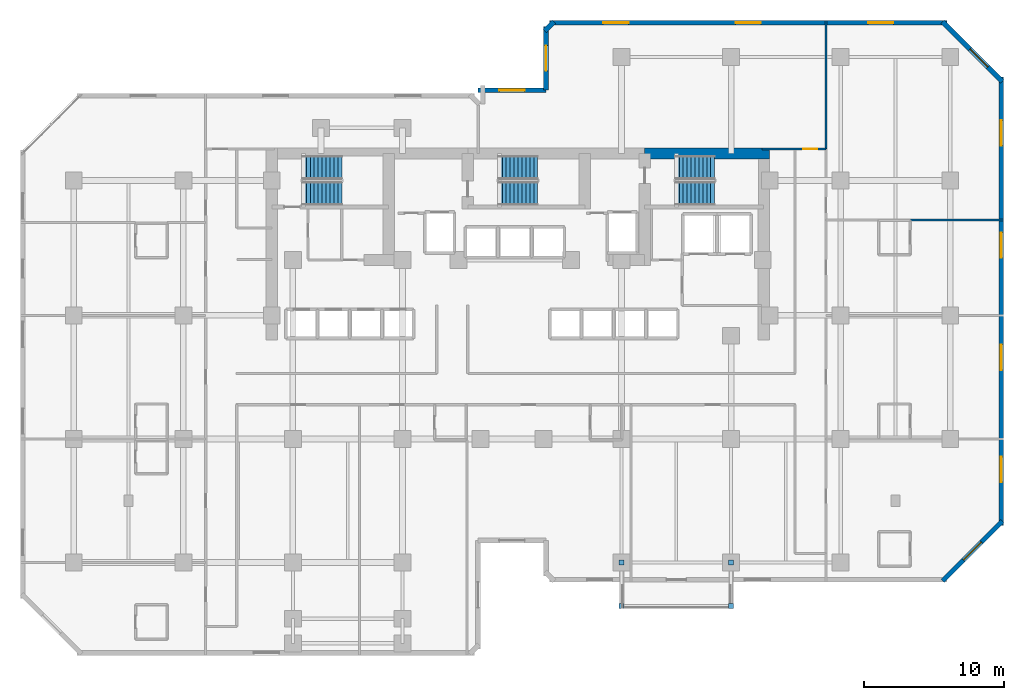
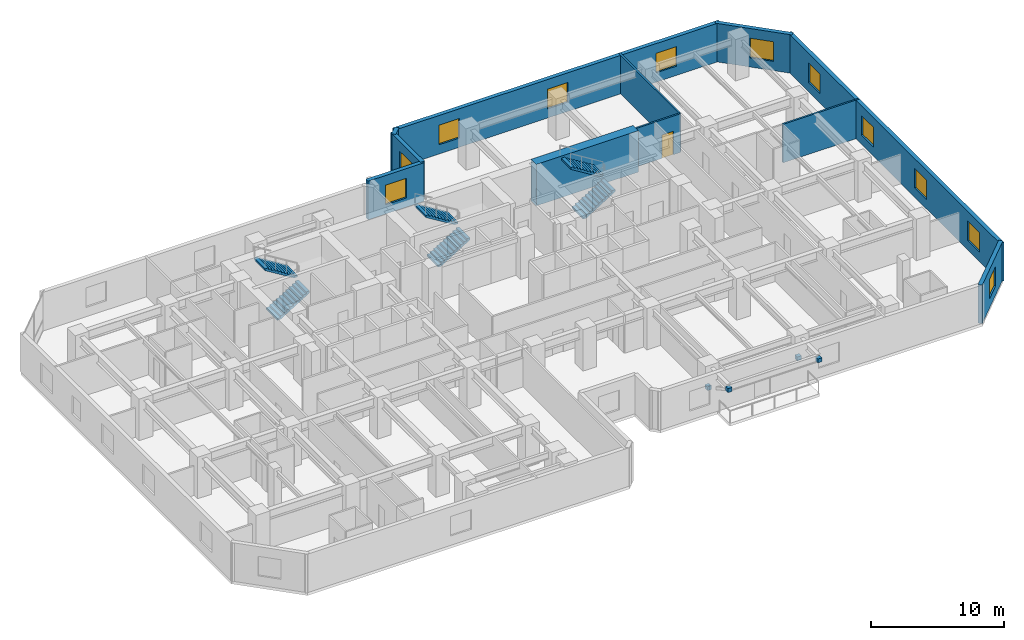
# One storey, part 9 of 11: 11 walls, 11 windows, 6 stair flights, 4 discrete accessories, 1 door, 12 openings, 3 elements without a shape of their own.
"""IFC4 building model written with IfcOpenShell, lengths in metres."""

from ifc_helpers import new_model, si_unit, direction, frame, frame_2d, origin, origin_2d, place, context, subcontext, project, spatial, polyline, rectangle, outline, extrude, material, layer, layer_set, type_object, element, fill, aggregate, save


model = new_model("IFC4")

# Units and contexts
model_context = context("Model", 3, precision=1e-05, world=origin(), true_north=direction((0.0, 1.0)))
body_context = subcontext(model_context, "Body", "Model", "MODEL_VIEW")
ifc_project = project(units=[si_unit("LENGTHUNIT", "METRE"), si_unit("AREAUNIT", "SQUARE_METRE"), si_unit("VOLUMEUNIT", "CUBIC_METRE"), si_unit("PLANEANGLEUNIT", "RADIAN"), si_unit("MASSUNIT", "GRAM", prefix="KILO")], contexts=[model_context])

# Site, building, storey
site_placement = place(None, origin())
site = spatial("IfcSite", under=ifc_project, at=site_placement, CompositionType="ELEMENT")
building_placement = place(site_placement, origin())
building = spatial("IfcBuilding", under=site, at=building_placement, Name="Kestravale Grand Hotel", CompositionType="ELEMENT")
storey_placement = place(building_placement, frame((0.0, 0.0, 114.60009765625)))
storey = spatial("IfcBuildingStorey", under=building, at=storey_placement, Name="L28", CompositionType="ELEMENT", Elevation=114.60009765625)

# Wall
ifc_material_1 = material(Name="Concrete f'c 60 MPa", Category="concrete")
ifc_layer_1 = layer(ifc_material_1, 0.800048828125)
ifc_layer_set_1 = layer_set([ifc_layer_1], Name="EW-CORE-800")
wall_type_1 = type_object("IfcWallType", Name="EW-CORE-800", PredefinedType="SHEAR", material=ifc_layer_set_1)
wall_1_placement = place(storey_placement, frame((48.449951171875, 40.320068359375, 0.0), z_axis=(0.0, 0.0, 1.0), x_axis=(1.0, 0.0, 0.0)))
element("IfcWall", 1, at=wall_1_placement, inside=storey, type_object=wall_type_1, Name="L28 core shear wall N3", PredefinedType="SHEAR", context=body_context, shape_type="SweptSolid", body=[
    extrude(rectangle(XDim=8.8701171875, YDim=0.800048828125, at=frame_2d((4.43505859375, 0.0))), origin(), (0.0, 0.0, 1.0), 3.7998046875),
])

# Wall, opening, window
ifc_material_2 = material(Name="Precast concrete f'c 45 MPa", Category="concrete")
ifc_layer_2 = layer(ifc_material_2, 0.340087890625)
ifc_layer_set_2 = layer_set([ifc_layer_2], Name="EW-PREC-340")
wall_type_2 = type_object("IfcWallType", Name="EW-PREC-340", PredefinedType="SOLIDWALL", material=ifc_layer_set_2)
wall_2_placement = place(storey_placement, frame((69.651611328125, 9.891845703125, 0.0), z_axis=(0.0, 0.0, 1.0), x_axis=(0.707106781187, 0.707106781187, 0.0)))
wall_2 = element("IfcWall", 2, at=wall_2_placement, inside=storey, type_object=wall_type_2, Name="L28 fluted precast facade wall 8", PredefinedType="SOLIDWALL", context=body_context, shape_type="SweptSolid", body=[
    extrude(rectangle(XDim=6.019775390625, YDim=0.340087890625, at=frame_2d((3.009765625, 0.0))), origin(), (0.0, 0.0, 1.0), 3.539794921875),
])
opening_1_placement = place(wall_2_placement, frame((2.10986328125, 0.0, 0.85009765625)))
opening_1 = element("IfcOpeningElement", 3, at=opening_1_placement, cuts=wall_2, Name="Opening W-GUEST-1800", PredefinedType="OPENING", context=body_context, shape_type="SweptSolid", body=[
    extrude(rectangle(XDim=1.800048828125, YDim=1.800048828125, at=frame_2d((0.89990234375, 0.89990234375))), frame((0.0, 0.179931640625, 0.0), z_axis=(0.0, -1.0, 0.0), x_axis=(1.0, 0.0, 0.0)), (0.0, 0.0, 1.0), 0.360107421875),
])
ifc_material_3 = material(Name="Insulated low-E double glazing in aluminium frame", Category="aluminium")
window_type = type_object("IfcWindowType", Name="W-GUEST-1800", PartitioningType="DOUBLE_PANEL_VERTICAL", PredefinedType="WINDOW", material=ifc_material_3)
window_1_placement = place(opening_1_placement, origin())
window_1 = element("IfcWindow", 4, at=window_1_placement, inside=storey, type_object=window_type, Name="L28 exterior window 8.1", OverallHeight=1.800048828125, OverallWidth=1.800048828125, PartitioningType="SINGLE_PANEL", PredefinedType="WINDOW", context=body_context, shape_type="SweptSolid", body=[
    extrude(rectangle(XDim=1.800048828125, YDim=1.800048828125, at=frame_2d((0.89990234375, 0.89990234375))), frame((0.0, 0.030029296875, 0.0), z_axis=(0.0, -1.0, 0.0), x_axis=(1.0, 0.0, 0.0)), (0.0, 0.0, 1.0), 0.06005859375),
])
fill(opening_1, window_1)

# Wall, openings, windows
wall_3_placement = place(storey_placement, frame((73.830078125, 13.830078125, 0.0), z_axis=(0.0, 0.0, 1.0), x_axis=(0.0, 1.0, 0.0)))
wall_3 = element("IfcWall", 5, at=wall_3_placement, inside=storey, type_object=wall_type_2, Name="L28 fluted precast facade wall 9", PredefinedType="SOLIDWALL", context=body_context, shape_type="SweptSolid", body=[
    extrude(rectangle(XDim=31.93994140625, YDim=0.340087890625, at=frame_2d((15.969970703125, 0.0))), origin(), (0.0, 0.0, 1.0), 3.539794921875),
])
opening_2_placement = place(wall_3_placement, frame((3.092529296875, 0.0, 0.85009765625)))
opening_2 = element("IfcOpeningElement", 6, at=opening_2_placement, cuts=wall_3, Name="Opening W-GUEST-1800", PredefinedType="OPENING", context=body_context, shape_type="SweptSolid", body=[
    extrude(rectangle(XDim=1.800048828125, YDim=1.800048828125, at=frame_2d((0.89990234375, 0.89990234375))), frame((0.0, 0.179931640625, 0.0), z_axis=(0.0, -1.0, 0.0), x_axis=(1.0, 0.0, 0.0)), (0.0, 0.0, 1.0), 0.360107421875),
])
opening_3_placement = place(wall_3_placement, frame((11.077392578125, 0.0, 0.85009765625)))
opening_3 = element("IfcOpeningElement", 7, at=opening_3_placement, cuts=wall_3, Name="Opening W-GUEST-1800", PredefinedType="OPENING", context=body_context, shape_type="SweptSolid", body=[
    extrude(rectangle(XDim=1.800048828125, YDim=1.800048828125, at=frame_2d((0.89990234375, 0.89990234375))), frame((0.0, 0.179931640625, 0.0), z_axis=(0.0, -1.0, 0.0), x_axis=(1.0, 0.0, 0.0)), (0.0, 0.0, 1.0), 0.360107421875),
])
opening_4_placement = place(wall_3_placement, frame((19.0625, 0.0, 0.85009765625)))
opening_4 = element("IfcOpeningElement", 8, at=opening_4_placement, cuts=wall_3, Name="Opening W-GUEST-1800", PredefinedType="OPENING", context=body_context, shape_type="SweptSolid", body=[
    extrude(rectangle(XDim=1.800048828125, YDim=1.800048828125, at=frame_2d((0.89990234375, 0.89990234375))), frame((0.0, 0.179931640625, 0.0), z_axis=(0.0, -1.0, 0.0), x_axis=(1.0, 0.0, 0.0)), (0.0, 0.0, 1.0), 0.360107421875),
])
opening_5_placement = place(wall_3_placement, frame((27.047607421875, 0.0, 0.85009765625)))
opening_5 = element("IfcOpeningElement", 9, at=opening_5_placement, cuts=wall_3, Name="Opening W-GUEST-1800", PredefinedType="OPENING", context=body_context, shape_type="SweptSolid", body=[
    extrude(rectangle(XDim=1.800048828125, YDim=1.800048828125, at=frame_2d((0.89990234375, 0.89990234375))), frame((0.0, 0.179931640625, 0.0), z_axis=(0.0, -1.0, 0.0), x_axis=(1.0, 0.0, 0.0)), (0.0, 0.0, 1.0), 0.360107421875),
])
window_2_placement = place(opening_2_placement, origin())
window_2 = element("IfcWindow", 10, at=window_2_placement, inside=storey, type_object=window_type, Name="L28 exterior window 9.1", OverallHeight=1.800048828125, OverallWidth=1.800048828125, PartitioningType="SINGLE_PANEL", PredefinedType="WINDOW", context=body_context, shape_type="SweptSolid", body=[
    extrude(rectangle(XDim=1.800048828125, YDim=1.800048828125, at=frame_2d((0.89990234375, 0.89990234375))), frame((0.0, 0.030029296875, 0.0), z_axis=(0.0, -1.0, 0.0), x_axis=(1.0, 0.0, 0.0)), (0.0, 0.0, 1.0), 0.06005859375),
])
fill(opening_2, window_2)
window_3_placement = place(opening_3_placement, origin())
window_3 = element("IfcWindow", 11, at=window_3_placement, inside=storey, type_object=window_type, Name="L28 exterior window 9.2", OverallHeight=1.800048828125, OverallWidth=1.800048828125, PartitioningType="SINGLE_PANEL", PredefinedType="WINDOW", context=body_context, shape_type="SweptSolid", body=[
    extrude(rectangle(XDim=1.800048828125, YDim=1.800048828125, at=frame_2d((0.89990234375, 0.89990234375))), frame((0.0, 0.030029296875, 0.0), z_axis=(0.0, -1.0, 0.0), x_axis=(1.0, 0.0, 0.0)), (0.0, 0.0, 1.0), 0.06005859375),
])
fill(opening_3, window_3)
window_4_placement = place(opening_4_placement, origin())
window_4 = element("IfcWindow", 12, at=window_4_placement, inside=storey, type_object=window_type, Name="L28 exterior window 9.3", OverallHeight=1.800048828125, OverallWidth=1.800048828125, PartitioningType="SINGLE_PANEL", PredefinedType="WINDOW", context=body_context, shape_type="SweptSolid", body=[
    extrude(rectangle(XDim=1.800048828125, YDim=1.800048828125, at=frame_2d((0.89990234375, 0.89990234375))), frame((0.0, 0.030029296875, 0.0), z_axis=(0.0, -1.0, 0.0), x_axis=(1.0, 0.0, 0.0)), (0.0, 0.0, 1.0), 0.06005859375),
])
fill(opening_4, window_4)
window_5_placement = place(opening_5_placement, origin())
window_5 = element("IfcWindow", 13, at=window_5_placement, inside=storey, type_object=window_type, Name="L28 exterior window 9.4", OverallHeight=1.800048828125, OverallWidth=1.800048828125, PartitioningType="SINGLE_PANEL", PredefinedType="WINDOW", context=body_context, shape_type="SweptSolid", body=[
    extrude(rectangle(XDim=1.800048828125, YDim=1.800048828125, at=frame_2d((0.89990234375, 0.89990234375))), frame((0.0, 0.030029296875, 0.0), z_axis=(0.0, -1.0, 0.0), x_axis=(1.0, 0.0, 0.0)), (0.0, 0.0, 1.0), 0.06005859375),
])
fill(opening_5, window_5)

# Wall, opening, window
wall_4_placement = place(storey_placement, frame((73.908203125, 45.451416015625, 0.0), z_axis=(0.0, 0.0, 1.0), x_axis=(-0.707106781187, 0.707106781187, 0.0)))
wall_4 = element("IfcWall", 14, at=wall_4_placement, inside=storey, type_object=wall_type_2, Name="L28 fluted precast facade wall 10", PredefinedType="SOLIDWALL", context=body_context, shape_type="SweptSolid", body=[
    extrude(rectangle(XDim=6.019775390625, YDim=0.340087890625, at=frame_2d((3.009765625, 0.0))), origin(), (0.0, 0.0, 1.0), 3.539794921875),
])
opening_6_placement = place(wall_4_placement, frame((1.4599609375, 0.0, 0.85009765625)))
opening_6 = element("IfcOpeningElement", 15, at=opening_6_placement, cuts=wall_4, Name="Opening W-GUEST-1800", PredefinedType="OPENING", context=body_context, shape_type="SweptSolid", body=[
    extrude(rectangle(XDim=1.800048828125, YDim=1.800048828125, at=frame_2d((0.89990234375, 0.89990234375))), frame((0.0, 0.179931640625, 0.0), z_axis=(0.0, -1.0, 0.0), x_axis=(1.0, 0.0, 0.0)), (0.0, 0.0, 1.0), 0.360107421875),
])
window_6_placement = place(opening_6_placement, origin())
window_6 = element("IfcWindow", 16, at=window_6_placement, inside=storey, type_object=window_type, Name="L28 exterior window 10.1", OverallHeight=1.800048828125, OverallWidth=1.800048828125, PartitioningType="SINGLE_PANEL", PredefinedType="WINDOW", context=body_context, shape_type="SweptSolid", body=[
    extrude(rectangle(XDim=1.800048828125, YDim=1.800048828125, at=frame_2d((0.89990234375, 0.89990234375))), frame((0.0, 0.030029296875, 0.0), z_axis=(0.0, -1.0, 0.0), x_axis=(1.0, 0.0, 0.0)), (0.0, 0.0, 1.0), 0.06005859375),
])
fill(opening_6, window_6)

# Wall, openings, windows
wall_5_placement = place(storey_placement, frame((69.969970703125, 49.6298828125, 0.0), z_axis=(0.0, 0.0, 1.0), x_axis=(-1.0, 0.0, 0.0)))
wall_5 = element("IfcWall", 17, at=wall_5_placement, inside=storey, type_object=wall_type_2, Name="L28 fluted precast facade wall 11", PredefinedType="SOLIDWALL", context=body_context, shape_type="SweptSolid", body=[
    extrude(rectangle(XDim=28.2900390625, YDim=0.340087890625, at=frame_2d((14.14501953125, 0.0))), origin(), (0.0, 0.0, 1.0), 3.539794921875),
])
opening_7_placement = place(wall_5_placement, frame((3.81494140625, 0.0, 0.85009765625)))
opening_7 = element("IfcOpeningElement", 18, at=opening_7_placement, cuts=wall_5, Name="Opening W-GUEST-1800", PredefinedType="OPENING", context=body_context, shape_type="SweptSolid", body=[
    extrude(rectangle(XDim=1.800048828125, YDim=1.800048828125, at=frame_2d((0.89990234375, 0.89990234375))), frame((0.0, 0.179931640625, 0.0), z_axis=(0.0, -1.0, 0.0), x_axis=(1.0, 0.0, 0.0)), (0.0, 0.0, 1.0), 0.360107421875),
])
opening_8_placement = place(wall_5_placement, frame((13.2451171875, 0.0, 0.85009765625)))
opening_8 = element("IfcOpeningElement", 19, at=opening_8_placement, cuts=wall_5, Name="Opening W-GUEST-1800", PredefinedType="OPENING", context=body_context, shape_type="SweptSolid", body=[
    extrude(rectangle(XDim=1.800048828125, YDim=1.800048828125, at=frame_2d((0.89990234375, 0.89990234375))), frame((0.0, 0.179931640625, 0.0), z_axis=(0.0, -1.0, 0.0), x_axis=(1.0, 0.0, 0.0)), (0.0, 0.0, 1.0), 0.360107421875),
])
opening_9_placement = place(wall_5_placement, frame((22.675048828125, 0.0, 0.85009765625)))
opening_9 = element("IfcOpeningElement", 20, at=opening_9_placement, cuts=wall_5, Name="Opening W-GUEST-1800", PredefinedType="OPENING", context=body_context, shape_type="SweptSolid", body=[
    extrude(rectangle(XDim=1.800048828125, YDim=1.800048828125, at=frame_2d((0.89990234375, 0.89990234375))), frame((0.0, 0.179931640625, 0.0), z_axis=(0.0, -1.0, 0.0), x_axis=(1.0, 0.0, 0.0)), (0.0, 0.0, 1.0), 0.360107421875),
])
window_7_placement = place(opening_7_placement, origin())
window_7 = element("IfcWindow", 21, at=window_7_placement, inside=storey, type_object=window_type, Name="L28 exterior window 11.1", OverallHeight=1.800048828125, OverallWidth=1.800048828125, PartitioningType="SINGLE_PANEL", PredefinedType="WINDOW", context=body_context, shape_type="SweptSolid", body=[
    extrude(rectangle(XDim=1.800048828125, YDim=1.800048828125, at=frame_2d((0.89990234375, 0.89990234375))), frame((0.0, 0.030029296875, 0.0), z_axis=(0.0, -1.0, 0.0), x_axis=(1.0, 0.0, 0.0)), (0.0, 0.0, 1.0), 0.06005859375),
])
fill(opening_7, window_7)
window_8_placement = place(opening_8_placement, origin())
window_8 = element("IfcWindow", 22, at=window_8_placement, inside=storey, type_object=window_type, Name="L28 exterior window 11.2", OverallHeight=1.800048828125, OverallWidth=1.800048828125, PartitioningType="SINGLE_PANEL", PredefinedType="WINDOW", context=body_context, shape_type="SweptSolid", body=[
    extrude(rectangle(XDim=1.800048828125, YDim=1.800048828125, at=frame_2d((0.89990234375, 0.89990234375))), frame((0.0, 0.030029296875, 0.0), z_axis=(0.0, -1.0, 0.0), x_axis=(1.0, 0.0, 0.0)), (0.0, 0.0, 1.0), 0.06005859375),
])
fill(opening_8, window_8)
window_9_placement = place(opening_9_placement, origin())
window_9 = element("IfcWindow", 23, at=window_9_placement, inside=storey, type_object=window_type, Name="L28 exterior window 11.3", OverallHeight=1.800048828125, OverallWidth=1.800048828125, PartitioningType="SINGLE_PANEL", PredefinedType="WINDOW", context=body_context, shape_type="SweptSolid", body=[
    extrude(rectangle(XDim=1.800048828125, YDim=1.800048828125, at=frame_2d((0.89990234375, 0.89990234375))), frame((0.0, 0.030029296875, 0.0), z_axis=(0.0, -1.0, 0.0), x_axis=(1.0, 0.0, 0.0)), (0.0, 0.0, 1.0), 0.06005859375),
])
fill(opening_9, window_9)

# Wall
wall_6_placement = place(storey_placement, frame((41.99853515625, 49.7080078125, 0.0), z_axis=(0.0, 0.0, 1.0), x_axis=(-0.707238225886, -0.706975312048, 0.0)))
element("IfcWall", 24, at=wall_6_placement, inside=storey, type_object=wall_type_2, Name="L28 fluted precast facade wall 12", PredefinedType="SOLIDWALL", context=body_context, shape_type="SweptSolid", body=[
    extrude(rectangle(XDim=0.9287109375, YDim=0.340087890625, at=frame_2d((0.46435546875, 0.0))), origin(), (0.0, 0.0, 1.0), 3.539794921875),
])

# Wall, opening, window
wall_7_placement = place(storey_placement, frame((41.419921875, 49.3701171875, 0.0), z_axis=(0.0, 0.0, 1.0), x_axis=(0.0, -1.0, 0.0)))
wall_7 = element("IfcWall", 25, at=wall_7_placement, inside=storey, type_object=wall_type_2, Name="L28 fluted precast facade wall 13", PredefinedType="SOLIDWALL", context=body_context, shape_type="SweptSolid", body=[
    extrude(rectangle(XDim=4.5400390625, YDim=0.340087890625, at=frame_2d((2.27001953125, 0.0))), origin(), (0.0, 0.0, 1.0), 3.539794921875),
])
opening_10_placement = place(wall_7_placement, frame((1.3701171875, 0.0, 0.85009765625)))
opening_10 = element("IfcOpeningElement", 26, at=opening_10_placement, cuts=wall_7, Name="Opening W-GUEST-1800", PredefinedType="OPENING", context=body_context, shape_type="SweptSolid", body=[
    extrude(rectangle(XDim=1.800048828125, YDim=1.800048828125, at=frame_2d((0.89990234375, 0.89990234375))), frame((0.0, 0.179931640625, 0.0), z_axis=(0.0, -1.0, 0.0), x_axis=(1.0, 0.0, 0.0)), (0.0, 0.0, 1.0), 0.360107421875),
])
window_10_placement = place(opening_10_placement, origin())
window_10 = element("IfcWindow", 27, at=window_10_placement, inside=storey, type_object=window_type, Name="L28 exterior window 13.1", OverallHeight=1.800048828125, OverallWidth=1.800048828125, PartitioningType="SINGLE_PANEL", PredefinedType="WINDOW", context=body_context, shape_type="SweptSolid", body=[
    extrude(rectangle(XDim=1.800048828125, YDim=1.800048828125, at=frame_2d((0.89990234375, 0.89990234375))), frame((0.0, 0.030029296875, 0.0), z_axis=(0.0, -1.0, 0.0), x_axis=(1.0, 0.0, 0.0)), (0.0, 0.0, 1.0), 0.06005859375),
])
fill(opening_10, window_10)

wall_8_placement = place(storey_placement, frame((41.419921875, 44.830078125, 0.0), z_axis=(0.0, 0.0, 1.0), x_axis=(-1.0, 0.0, 0.0)))
wall_8 = element("IfcWall", 28, at=wall_8_placement, inside=storey, type_object=wall_type_2, Name="L28 fluted precast facade wall 14", PredefinedType="SOLIDWALL", context=body_context, shape_type="SweptSolid", body=[
    extrude(rectangle(XDim=4.83984375, YDim=0.340087890625, at=frame_2d((2.419921875, 0.0))), origin(), (0.0, 0.0, 1.0), 3.539794921875),
])
opening_11_placement = place(wall_8_placement, frame((1.52001953125, 0.0, 0.85009765625)))
opening_11 = element("IfcOpeningElement", 29, at=opening_11_placement, cuts=wall_8, Name="Opening W-GUEST-1800", PredefinedType="OPENING", context=body_context, shape_type="SweptSolid", body=[
    extrude(rectangle(XDim=1.800048828125, YDim=1.800048828125, at=frame_2d((0.89990234375, 0.89990234375))), frame((0.0, 0.179931640625, 0.0), z_axis=(0.0, -1.0, 0.0), x_axis=(1.0, 0.0, 0.0)), (0.0, 0.0, 1.0), 0.360107421875),
])
window_11_placement = place(opening_11_placement, origin())
window_11 = element("IfcWindow", 30, at=window_11_placement, inside=storey, type_object=window_type, Name="L28 exterior window 14.1", OverallHeight=1.800048828125, OverallWidth=1.800048828125, PartitioningType="SINGLE_PANEL", PredefinedType="WINDOW", context=body_context, shape_type="SweptSolid", body=[
    extrude(rectangle(XDim=1.800048828125, YDim=1.800048828125, at=frame_2d((0.89990234375, 0.89990234375))), frame((0.0, 0.030029296875, 0.0), z_axis=(0.0, -1.0, 0.0), x_axis=(1.0, 0.0, 0.0)), (0.0, 0.0, 1.0), 0.06005859375),
])
fill(opening_11, window_11)

# Wall, opening, door
ifc_material_4 = material(Name="Double-stud STC 52 acoustic demising partition", Category="other")
ifc_layer_3 = layer(ifc_material_4, 0.14990234375)
ifc_layer_set_3 = layer_set([ifc_layer_3], Name="IW-UNIT-150")
wall_type_3 = type_object("IfcWallType", Name="IW-UNIT-150", PredefinedType="PARTITIONING", material=ifc_layer_set_3)
wall_9_placement = place(storey_placement, frame((56.800048828125, 40.64990234375, 0.0), z_axis=(0.0, 0.0, 1.0), x_axis=(1.0, 0.0, 0.0)))
wall_9 = element("IfcWall", 31, at=wall_9_placement, inside=storey, type_object=wall_type_3, Name="W-L28-SE-N", PredefinedType="PARTITIONING", context=body_context, shape_type="SweptSolid", body=[
    extrude(rectangle(XDim=4.56005859375, YDim=0.14990234375, at=frame_2d((2.280029296875, 0.0))), origin(), (0.0, 0.0, 1.0), 3.539794921875),
])
opening_12_placement = place(wall_9_placement, frame((2.949951171875, 0.0, 0.0)))
opening_12 = element("IfcOpeningElement", 32, at=opening_12_placement, cuts=wall_9, Name="Opening D-GUEST-1000", PredefinedType="OPENING", context=body_context, shape_type="SweptSolid", body=[
    extrude(rectangle(XDim=1.0, YDim=2.14990234375, at=frame_2d((0.5, 1.074951171875))), frame((0.0, 0.0849609375, 0.0), z_axis=(0.0, -1.0, 0.0), x_axis=(1.0, 0.0, 0.0)), (0.0, 0.0, 1.0), 0.169921875),
])
ifc_material_5 = material(Name="Accessible walnut veneer hotel entrance fire door", Category="wood")
door_type = type_object("IfcDoorType", Name="D-GUEST-1000", OperationType="NOTDEFINED", PredefinedType="DOOR", material=ifc_material_5)
door_placement = place(opening_12_placement, origin())
door = element("IfcDoor", 33, at=door_placement, inside=storey, type_object=door_type, Name="L28 NE Gallery Door", OperationType="SINGLE_SWING_LEFT", OverallHeight=2.14990234375, OverallWidth=1.0, PredefinedType="DOOR", context=body_context, shape_type="SweptSolid", body=[
    extrude(rectangle(XDim=1.0, YDim=2.14990234375, at=frame_2d((0.5, 1.074951171875))), frame((0.0, 0.02490234375, 0.0), z_axis=(0.0, -1.0, 0.0), x_axis=(1.0, 0.0, 0.0)), (0.0, 0.0, 1.0), 0.050048828125),
])
fill(opening_12, door)

# Walls
wall_10_placement = place(storey_placement, frame((61.360107421875, 40.64990234375, 0.0), z_axis=(0.0, 0.0, 1.0), x_axis=(0.0, 1.0, 0.0)))
element("IfcWall", 34, at=wall_10_placement, inside=storey, type_object=wall_type_3, Name="W-L28-NGE-E", PredefinedType="PARTITIONING", context=body_context, shape_type="SweptSolid", body=[
    extrude(rectangle(XDim=9.130126953125, YDim=0.14990234375, at=frame_2d((4.56494140625, 0.0))), origin(), (0.0, 0.0, 1.0), 3.539794921875),
])
wall_11_placement = place(storey_placement, frame((67.35009765625, 35.60009765625, 0.0), z_axis=(0.0, 0.0, 1.0), x_axis=(1.0, 0.0, 0.0)))
element("IfcWall", 35, at=wall_11_placement, inside=storey, type_object=wall_type_3, Name="W-L28-EW-3", PredefinedType="PARTITIONING", context=body_context, shape_type="SweptSolid", body=[
    extrude(rectangle(XDim=6.6298828125, YDim=0.14990234375, at=frame_2d((3.31494140625, 0.0))), origin(), (0.0, 0.0, 1.0), 3.539794921875),
])

# Stair, stair flights
ifc_material_6 = material(Name="Concrete f'c 45 MPa", Category="concrete")
stair_type = type_object("IfcStairType", Name="ST-CORE-380", PredefinedType="HALF_TURN_STAIR", material=ifc_material_6)
stair_1_placement = place(storey_placement, origin())
stair_1 = element("IfcStair", 36, at=stair_1_placement, inside=storey, type_object=stair_type, Name="L28 ST-1", PredefinedType="HALF_TURN_STAIR")
ifc_material_7 = material(Name="Concrete f'c 45 MPa", Category="concrete")
stair_flight_type = type_object("IfcStairFlightType", Name="STF-CORE-380", PredefinedType="STRAIGHT", material=ifc_material_7)
stair_flight_1_placement = place(storey_placement, frame((24.080078125, 37.489990234375, 0.0), z_axis=(0.0, 0.0, 1.0), x_axis=(1.0, 0.0, 0.0)))
stair_flight_1 = element("IfcStairFlight", 37, at=stair_flight_1_placement, type_object=stair_flight_type, Name="ST-1 flight 1", NumberOfRisers=11, NumberOfTreads=10, PredefinedType="STRAIGHT", RiserHeight=0.172727273, TreadLength=0.28, context=body_context, shape_type="SweptSolid", body=[
    extrude(outline(polyline([(0.0, 0.0), (0.0, 0.172607421875), (0.280029296875, 0.172607421875), (0.280029296875, 0.345458984375), (0.56005859375, 0.345458984375), (0.56005859375, 0.51806640625), (0.840087890625, 0.51806640625), (0.840087890625, 0.69091796875), (1.1201171875, 0.69091796875), (1.1201171875, 0.863525390625), (1.39990234375, 0.863525390625), (1.39990234375, 1.036376953125), (1.679931640625, 1.036376953125), (1.679931640625, 1.208984375), (1.9599609375, 1.208984375), (1.9599609375, 1.3818359375), (2.239990234375, 1.3818359375), (2.239990234375, 1.554443359375), (2.52001953125, 1.554443359375), (2.52001953125, 1.727294921875), (2.800048828125, 1.727294921875), (2.800048828125, 1.89990234375), (2.800048828125, 1.551025390625), (0.285400390625, 0.0), (0.0, 0.0)])), frame((0.0, 0.83984375, 0.0), z_axis=(0.0, -1.0, 0.0), x_axis=(1.0, 0.0, 0.0)), (0.0, 0.0, 1.0), 1.679931640625),
])
stair_flight_2_placement = place(storey_placement, frame((26.8798828125, 39.320068359375, 1.89990234375), z_axis=(0.0, 0.0, 1.0), x_axis=(-1.0, 0.0, 0.0)))
stair_flight_2 = element("IfcStairFlight", 38, at=stair_flight_2_placement, type_object=stair_flight_type, Name="ST-1 flight 2", NumberOfRisers=11, NumberOfTreads=10, PredefinedType="STRAIGHT", RiserHeight=0.172727273, TreadLength=0.28, context=body_context, shape_type="SweptSolid", body=[
    extrude(outline(polyline([(0.0, 0.0), (0.0, 0.172607421875), (0.280029296875, 0.172607421875), (0.280029296875, 0.345458984375), (0.56005859375, 0.345458984375), (0.56005859375, 0.51806640625), (0.840087890625, 0.51806640625), (0.840087890625, 0.69091796875), (1.1201171875, 0.69091796875), (1.1201171875, 0.863525390625), (1.39990234375, 0.863525390625), (1.39990234375, 1.036376953125), (1.679931640625, 1.036376953125), (1.679931640625, 1.208984375), (1.9599609375, 1.208984375), (1.9599609375, 1.3818359375), (2.239990234375, 1.3818359375), (2.239990234375, 1.554443359375), (2.52001953125, 1.554443359375), (2.52001953125, 1.727294921875), (2.800048828125, 1.727294921875), (2.800048828125, 1.89990234375), (2.800048828125, 1.551025390625), (0.285400390625, 0.0), (0.0, 0.0)])), frame((0.0, 0.83984375, 0.0), z_axis=(0.0, -1.0, 0.0), x_axis=(1.0, 0.0, 0.0)), (0.0, 0.0, 1.0), 1.679931640625),
])
aggregate(stair_1, [stair_flight_1, stair_flight_2])

stair_2_placement = place(storey_placement, origin())
stair_2 = element("IfcStair", 39, at=stair_2_placement, inside=storey, type_object=stair_type, Name="L28 ST-2", PredefinedType="HALF_TURN_STAIR")
stair_flight_3_placement = place(storey_placement, frame((38.030029296875, 37.489990234375, 0.0), z_axis=(0.0, 0.0, 1.0), x_axis=(1.0, 0.0, 0.0)))
stair_flight_3 = element("IfcStairFlight", 40, at=stair_flight_3_placement, type_object=stair_flight_type, Name="ST-2 flight 1", NumberOfRisers=11, NumberOfTreads=10, PredefinedType="STRAIGHT", RiserHeight=0.172727273, TreadLength=0.28, context=body_context, shape_type="SweptSolid", body=[
    extrude(outline(polyline([(0.0, 0.0), (0.0, 0.172607421875), (0.280029296875, 0.172607421875), (0.280029296875, 0.345458984375), (0.56005859375, 0.345458984375), (0.56005859375, 0.51806640625), (0.840087890625, 0.51806640625), (0.840087890625, 0.69091796875), (1.1201171875, 0.69091796875), (1.1201171875, 0.863525390625), (1.39990234375, 0.863525390625), (1.39990234375, 1.036376953125), (1.679931640625, 1.036376953125), (1.679931640625, 1.208984375), (1.9599609375, 1.208984375), (1.9599609375, 1.3818359375), (2.239990234375, 1.3818359375), (2.239990234375, 1.554443359375), (2.52001953125, 1.554443359375), (2.52001953125, 1.727294921875), (2.800048828125, 1.727294921875), (2.800048828125, 1.89990234375), (2.800048828125, 1.551025390625), (0.285400390625, 0.0), (0.0, 0.0)])), frame((0.0, 0.83984375, 0.0), z_axis=(0.0, -1.0, 0.0), x_axis=(1.0, 0.0, 0.0)), (0.0, 0.0, 1.0), 1.679931640625),
])
stair_flight_4_placement = place(storey_placement, frame((40.830078125, 39.320068359375, 1.89990234375), z_axis=(0.0, 0.0, 1.0), x_axis=(-1.0, 0.0, 0.0)))
stair_flight_4 = element("IfcStairFlight", 41, at=stair_flight_4_placement, type_object=stair_flight_type, Name="ST-2 flight 2", NumberOfRisers=11, NumberOfTreads=10, PredefinedType="STRAIGHT", RiserHeight=0.172727273, TreadLength=0.28, context=body_context, shape_type="SweptSolid", body=[
    extrude(outline(polyline([(0.0, 0.0), (0.0, 0.172607421875), (0.280029296875, 0.172607421875), (0.280029296875, 0.345458984375), (0.56005859375, 0.345458984375), (0.56005859375, 0.51806640625), (0.840087890625, 0.51806640625), (0.840087890625, 0.69091796875), (1.1201171875, 0.69091796875), (1.1201171875, 0.863525390625), (1.39990234375, 0.863525390625), (1.39990234375, 1.036376953125), (1.679931640625, 1.036376953125), (1.679931640625, 1.208984375), (1.9599609375, 1.208984375), (1.9599609375, 1.3818359375), (2.239990234375, 1.3818359375), (2.239990234375, 1.554443359375), (2.52001953125, 1.554443359375), (2.52001953125, 1.727294921875), (2.800048828125, 1.727294921875), (2.800048828125, 1.89990234375), (2.800048828125, 1.551025390625), (0.285400390625, 0.0), (0.0, 0.0)])), frame((0.0, 0.83984375, 0.0), z_axis=(0.0, -1.0, 0.0), x_axis=(1.0, 0.0, 0.0)), (0.0, 0.0, 1.0), 1.679931640625),
])
aggregate(stair_2, [stair_flight_3, stair_flight_4])

stair_3_placement = place(storey_placement, origin())
stair_3 = element("IfcStair", 42, at=stair_3_placement, inside=storey, type_object=stair_type, Name="L28 ST-3", PredefinedType="HALF_TURN_STAIR")
stair_flight_5_placement = place(storey_placement, frame((50.6298828125, 37.489990234375, 0.0), z_axis=(0.0, 0.0, 1.0), x_axis=(1.0, 0.0, 0.0)))
stair_flight_5 = element("IfcStairFlight", 43, at=stair_flight_5_placement, type_object=stair_flight_type, Name="ST-3 flight 1", NumberOfRisers=11, NumberOfTreads=10, PredefinedType="STRAIGHT", RiserHeight=0.172727273, TreadLength=0.28, context=body_context, shape_type="SweptSolid", body=[
    extrude(outline(polyline([(0.0, 0.0), (0.0, 0.172607421875), (0.280029296875, 0.172607421875), (0.280029296875, 0.345458984375), (0.56005859375, 0.345458984375), (0.56005859375, 0.51806640625), (0.840087890625, 0.51806640625), (0.840087890625, 0.69091796875), (1.1201171875, 0.69091796875), (1.1201171875, 0.863525390625), (1.39990234375, 0.863525390625), (1.39990234375, 1.036376953125), (1.679931640625, 1.036376953125), (1.679931640625, 1.208984375), (1.9599609375, 1.208984375), (1.9599609375, 1.3818359375), (2.239990234375, 1.3818359375), (2.239990234375, 1.554443359375), (2.52001953125, 1.554443359375), (2.52001953125, 1.727294921875), (2.800048828125, 1.727294921875), (2.800048828125, 1.89990234375), (2.800048828125, 1.551025390625), (0.285400390625, 0.0), (0.0, 0.0)])), frame((0.0, 0.83984375, 0.0), z_axis=(0.0, -1.0, 0.0), x_axis=(1.0, 0.0, 0.0)), (0.0, 0.0, 1.0), 1.679931640625),
])
stair_flight_6_placement = place(storey_placement, frame((53.429931640625, 39.320068359375, 1.89990234375), z_axis=(0.0, 0.0, 1.0), x_axis=(-1.0, 0.0, 0.0)))
stair_flight_6 = element("IfcStairFlight", 44, at=stair_flight_6_placement, type_object=stair_flight_type, Name="ST-3 flight 2", NumberOfRisers=11, NumberOfTreads=10, PredefinedType="STRAIGHT", RiserHeight=0.172727273, TreadLength=0.28, context=body_context, shape_type="SweptSolid", body=[
    extrude(outline(polyline([(0.0, 0.0), (0.0, 0.172607421875), (0.280029296875, 0.172607421875), (0.280029296875, 0.345458984375), (0.56005859375, 0.345458984375), (0.56005859375, 0.51806640625), (0.840087890625, 0.51806640625), (0.840087890625, 0.69091796875), (1.1201171875, 0.69091796875), (1.1201171875, 0.863525390625), (1.39990234375, 0.863525390625), (1.39990234375, 1.036376953125), (1.679931640625, 1.036376953125), (1.679931640625, 1.208984375), (1.9599609375, 1.208984375), (1.9599609375, 1.3818359375), (2.239990234375, 1.3818359375), (2.239990234375, 1.554443359375), (2.52001953125, 1.554443359375), (2.52001953125, 1.727294921875), (2.800048828125, 1.727294921875), (2.800048828125, 1.89990234375), (2.800048828125, 1.551025390625), (0.285400390625, 0.0), (0.0, 0.0)])), frame((0.0, 0.83984375, 0.0), z_axis=(0.0, -1.0, 0.0), x_axis=(1.0, 0.0, 0.0)), (0.0, 0.0, 1.0), 1.679931640625),
])
aggregate(stair_3, [stair_flight_5, stair_flight_6])

# Discrete accessories
ifc_material_8 = material(Name="Steel ASTM A572 Grade 50 hot-dip galvanised bracket", Category="steel")
discrete_accessory_type = type_object("IfcDiscreteAccessoryType", Name="ACC-BRK-STL", PredefinedType="BRACKET", material=ifc_material_8)
for number, where, z_axis, x_axis, name in (
    (45, (46.800048828125, 11.199951171875, 1.19384765625), (0.0, 0.0, 1.0), (1.0, 0.0, 0.0), "L29 terrace strut column bracket 1"),
    (46, (46.800048828125, 8.10009765625, 2.89404296875), (0.0, 0.0, 1.0), (1.0, 0.0, 0.0), "L29 terrace strut beam bracket 1"),
    (47, (54.60009765625, 11.199951171875, 1.19384765625), (0.0, 0.0, 1.0), (1.0, 0.0, 0.0), "L29 terrace strut column bracket 2"),
    (48, (54.60009765625, 8.10009765625, 2.89404296875), (0.0, 0.0, 1.0), (1.0, 0.0, 0.0), "L29 terrace strut beam bracket 2"),
):
    element("IfcDiscreteAccessory", number, at=place(storey_placement, frame(where, z_axis=z_axis, x_axis=x_axis)), inside=storey, type_object=discrete_accessory_type, Name=name, PredefinedType="BRACKET", context=body_context, shape_type="SweptSolid", body=[
        extrude(rectangle(XDim=0.360107421875, YDim=0.360107421875, at=origin_2d()), origin(), (0.0, 0.0, 1.0), 0.360107421875),
    ])

save(model, "model.ifc")
